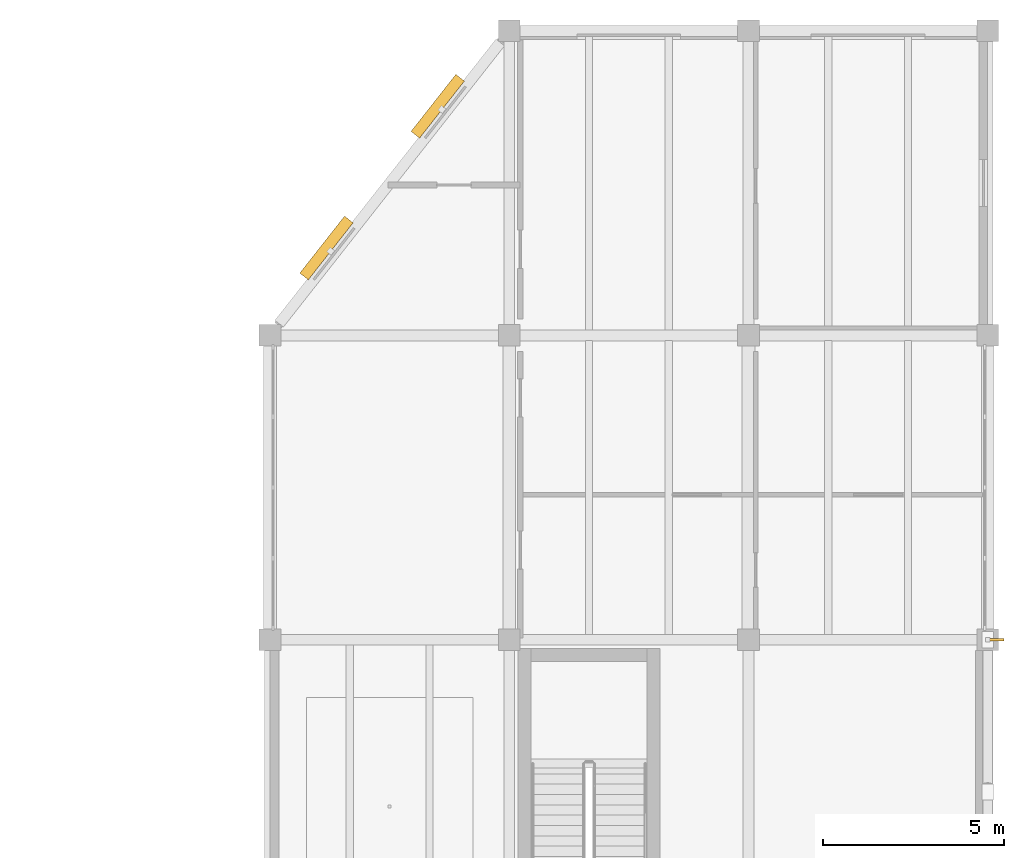
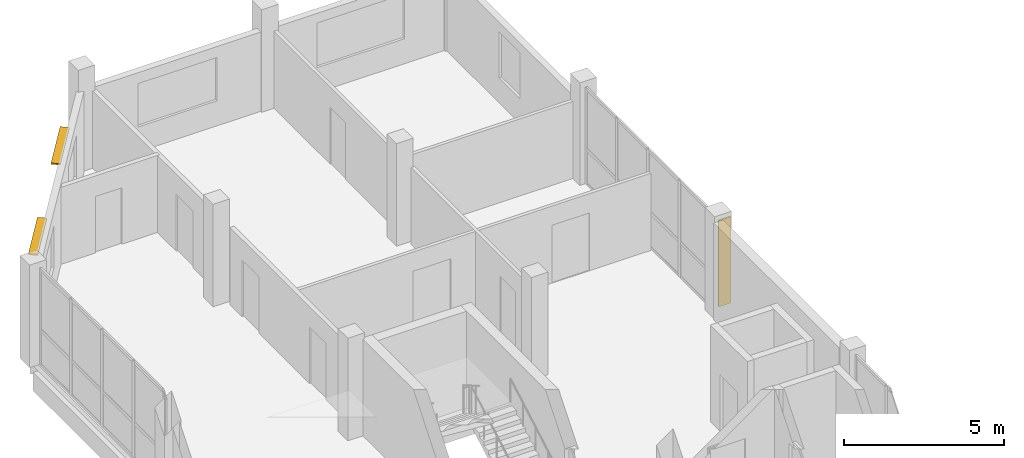
# One storey, part 12 of 12: 3 shading devices.
"""IFC4 building model written with IfcOpenShell, lengths in metres."""

from ifc_helpers import new_model, si_unit, direction, frame, origin, origin_2d, place, context, subcontext, project, spatial, rectangle, extrude, material, layer, layer_set, type_object, element, save


model = new_model("IFC4")

# Units and contexts
model_context = context("Model", 3, precision=1e-05, world=origin(), true_north=direction((0.0, 1.0)))
body_context = subcontext(model_context, "Body", "Model", "MODEL_VIEW")
ifc_project = project(units=[si_unit("LENGTHUNIT", "METRE"), si_unit("AREAUNIT", "SQUARE_METRE"), si_unit("VOLUMEUNIT", "CUBIC_METRE"), si_unit("PLANEANGLEUNIT", "RADIAN"), si_unit("MASSUNIT", "GRAM", prefix="KILO")], contexts=[model_context])

# Site, building, storey
site_placement = place(None, origin())
site = spatial("IfcSite", under=ifc_project, at=site_placement, CompositionType="ELEMENT")
building_placement = place(site_placement, origin())
building = spatial("IfcBuilding", under=site, at=building_placement, Name="Qaldarim Faculty of Natural and Applied Sciences", CompositionType="ELEMENT")
storey_placement = place(building_placement, frame((0.0, 0.0, 35.39990234375)))
storey = spatial("IfcBuildingStorey", under=building, at=storey_placement, Name="L08", CompositionType="ELEMENT", Elevation=35.39990234375)

# Shading devices
ifc_material = material(Name="Champagne anodised aluminium AW-6063", Category="aluminium")
ifc_layer_1 = layer(ifc_material, 0.050048828125)
ifc_layer_set_1 = layer_set([ifc_layer_1], Name="Champagne anodised aluminium AW-6063")
shading_device_type_1 = type_object("IfcShadingDeviceType", Name="SolarLouvre-ALU300x50", PredefinedType="JALOUSIE", material=ifc_layer_set_1)
for number, where, z_axis, x_axis, name in (
    (1, (159.955078125, 44.409912109375, 2.67529296875), (0.0, 0.0, 1.0), (0.617818442277, 0.786320782112, 0.0), "Oblique facade horizontal solar louvre SHD-OBL-NW-L08-1"),
    (2, (163.02490234375, 48.320068359375, 2.67529296875), (0.0, 0.0, 1.0), (0.617818442277, 0.786320782112, 0.0), "Oblique facade horizontal solar louvre SHD-OBL-NW-L08-2"),
):
    element("IfcShadingDevice", number, at=place(storey_placement, frame(where, z_axis=z_axis, x_axis=x_axis)), inside=storey, type_object=shading_device_type_1, Name=name, PredefinedType="JALOUSIE", context=body_context, shape_type="SweptSolid", body=[
        extrude(rectangle(XDim=2.0, YDim=0.300048828125, at=origin_2d()), origin(), (0.0, 0.0, 1.0), 0.050048828125),
    ])
ifc_layer_2 = layer(ifc_material, 0.06005859375)
ifc_layer_set_2 = layer_set([ifc_layer_2], Name="Champagne anodised aluminium AW-6063")
shading_device_type_2 = type_object("IfcShadingDeviceType", Name="VerticalSunFin-ALU450x60", PredefinedType="SHUTTER", material=ifc_layer_set_2)
shading_device_placement = place(storey_placement, frame((178.425048828125, 33.60009765625, 0.2001953125), z_axis=(0.0, 0.0, 1.0), x_axis=(1.0, 0.0, 0.0)))
element("IfcShadingDevice", 3, at=shading_device_placement, inside=storey, type_object=shading_device_type_2, Name="Tower solar fin FIN-V5E-L08-Y05", PredefinedType="SHUTTER", context=body_context, shape_type="SweptSolid", body=[
    extrude(rectangle(XDim=0.449951171875, YDim=0.06005859375, at=origin_2d()), origin(), (0.0, 0.0, 1.0), 3.280029296875),
])

save(model, "model.ifc")
